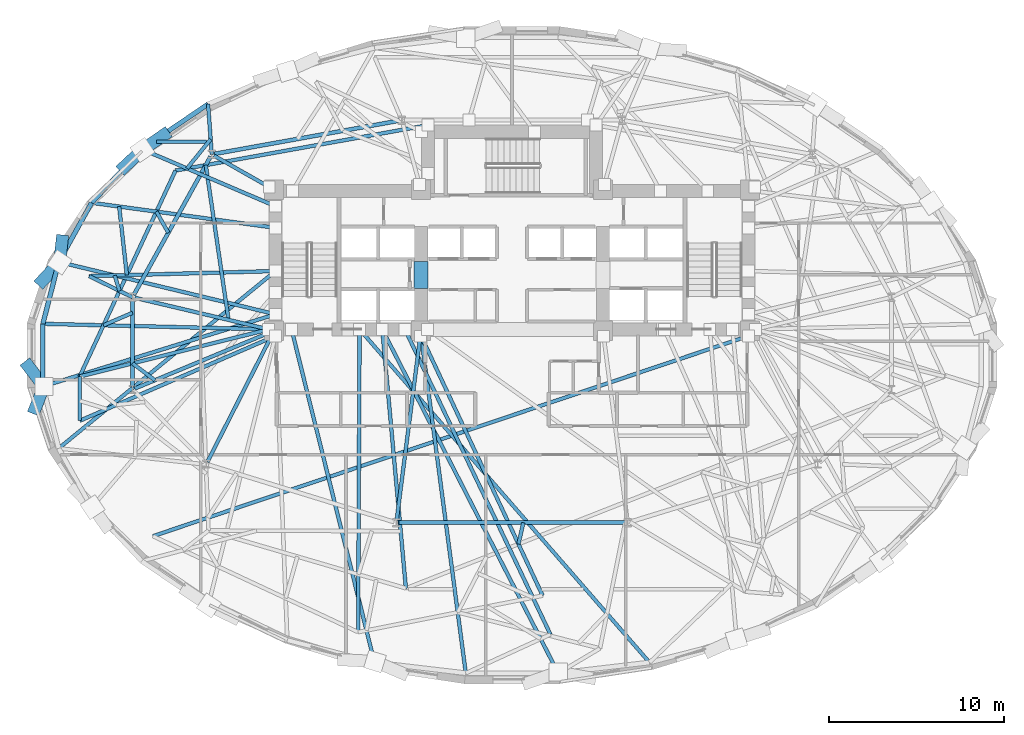
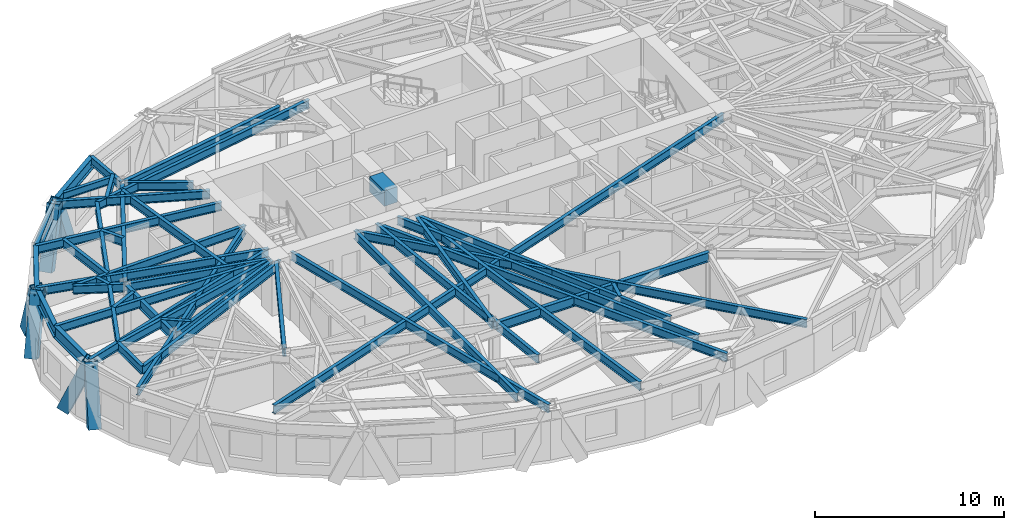
# One storey, part 2 of 15: 47 beams, 6 members.
"""IFC4 building model written with IfcOpenShell, lengths in metres."""

from ifc_helpers import new_model, si_unit, direction, frame, origin, origin_2d, place, context, subcontext, project, spatial, rectangle, hollow_rectangle, i_section, extrude, material, material_profile, profile_set, type_object, element, save


model = new_model("IFC4")

# Units and contexts
model_context = context("Model", 3, precision=1e-05, world=origin(), true_north=direction((0.0, 1.0)))
body_context = subcontext(model_context, "Body", "Model", "MODEL_VIEW")
ifc_project = project(units=[si_unit("LENGTHUNIT", "METRE"), si_unit("AREAUNIT", "SQUARE_METRE"), si_unit("VOLUMEUNIT", "CUBIC_METRE"), si_unit("PLANEANGLEUNIT", "RADIAN"), si_unit("MASSUNIT", "GRAM", prefix="KILO")], contexts=[model_context])

# Site, building, storey
site_placement = place(None, origin())
site = spatial("IfcSite", under=ifc_project, at=site_placement, CompositionType="ELEMENT")
building_placement = place(site_placement, origin())
building = spatial("IfcBuilding", under=site, at=building_placement, Name="Keldmark Tower", CompositionType="ELEMENT")
storey_placement = place(building_placement, frame((0.0, 0.0, 110.60009765625)))
storey = spatial("IfcBuildingStorey", under=building, at=storey_placement, Name="L29", CompositionType="ELEMENT", Elevation=110.60009765625)

# Beams
ifc_material_1 = material(Name="Steel ASTM A992 Grade 50", Category="steel")
ifc_material_profile_1 = material_profile(ifc_material_1, i_section(OverallWidth=0.19091796875, OverallDepth=0.45703125, WebThickness=0.009033203125, FlangeThickness=0.014404296875, at=origin_2d()), Name="W18X50")
ifc_profile_set_1 = profile_set([ifc_material_profile_1], Name="Steel ASTM A992 Grade 50")
beam_type_1 = type_object("IfcBeamType", Name="Composite Floor Joist W18X50", PredefinedType="JOIST", material=ifc_profile_set_1)
beam_1_placement = place(storey_placement, frame((-20.323974609375, 12.199951171875, 3.081298828125), z_axis=(1.0, 0.0, 0.0), x_axis=(0.0, 1.0, 0.0)))
element("IfcBeam", 1, at=beam_1_placement, inside=storey, type_object=beam_type_1, Name="L29 Composite Floor Joist J09", PredefinedType="JOIST", context=body_context, shape_type="SweptSolid", body=[
    extrude(i_section(OverallWidth=0.19091796875, OverallDepth=0.45703125, WebThickness=0.009033203125, FlangeThickness=0.014404296875, at=origin_2d()), origin(), (0.0, 0.0, 1.0), 2.85595703125),
])
ifc_material_2 = material(Name="Concrete C70/85", Category="concrete")
ifc_material_profile_2 = material_profile(ifc_material_2, rectangle(XDim=0.800048828125, YDim=1.0, at=origin_2d()), Name="RCB800X1000")
ifc_profile_set_2 = profile_set([ifc_material_profile_2], Name="Concrete C70/85")
beam_type_2 = type_object("IfcBeamType", Name="Core Coupling Beam RCB800X1000", PredefinedType="USERDEFINED", material=ifc_profile_set_2)
beam_2_placement = place(storey_placement, frame((-5.199951171875, 3.800048828125, 2.809814453125), z_axis=(0.0, 1.0, 0.0), x_axis=(-1.0, 0.0, 0.0)))
element("IfcBeam", 2, at=beam_2_placement, inside=storey, type_object=beam_type_2, Name="L29 West Core Coupling Beam", ObjectType="COUPLING BEAM", PredefinedType="USERDEFINED", context=body_context, shape_type="SweptSolid", body=[
    extrude(rectangle(XDim=0.800048828125, YDim=1.0, at=origin_2d()), origin(), (0.0, 0.0, 1.0), 1.550048828125),
])

# Members
ifc_material_3 = material(Name="Steel ASTM A572 Grade 50", Category="steel")
ifc_material_profile_3 = material_profile(ifc_material_3, hollow_rectangle(XDim=0.699951171875, YDim=0.699951171875, WallThickness=0.044921875, at=origin_2d()), Name="BOX700X700X45")
ifc_profile_set_3 = profile_set([ifc_material_profile_3], Name="Steel ASTM A572 Grade 50")
member_type = type_object("IfcMemberType", Name="Diagrid Zone 2 Brace BOX700X700X45", PredefinedType="BRACE", material=ifc_profile_set_3)
member_1_placement = place(storey_placement, frame((-19.885009765625, 12.6005859375, -0.27001953125), z_axis=(-0.330304829157, -0.229591895722, 0.915525139608), x_axis=(0.570753895875, -0.821121178843, 0.0)))
element("IfcMember", 3, at=member_1_placement, inside=storey, type_object=member_type, Name="L29 Perimeter Diagrid Brace 06B", PredefinedType="BRACE", context=body_context, shape_type="SweptSolid", body=[
    extrude(hollow_rectangle(XDim=0.699951171875, YDim=0.699951171875, WallThickness=0.044921875, at=origin_2d()), origin(), (0.0, 0.0, 1.0), 3.779296875),
])
member_2_placement = place(storey_placement, frame((-22.177490234375, 10.7548828125, -0.27001953125), z_axis=(0.28076981606, 0.263119938966, 0.923003904709), x_axis=(-0.683800361461, 0.729669148084, 0.0)))
element("IfcMember", 4, at=member_2_placement, inside=storey, type_object=member_type, Name="L29 Perimeter Diagrid Brace 07A", PredefinedType="BRACE", context=body_context, shape_type="SweptSolid", body=[
    extrude(hollow_rectangle(XDim=0.699951171875, YDim=0.699951171875, WallThickness=0.044921875, at=origin_2d()), origin(), (0.0, 0.0, 1.0), 3.74853515625),
])
member_3_placement = place(storey_placement, frame((-25.7265625, 6.5419921875, -0.27001953125), z_axis=(-0.037569028403, -0.337191986378, 0.940685990343), x_axis=(0.99385028729, -0.110732138308, 0.0)))
element("IfcMember", 5, at=member_3_placement, inside=storey, type_object=member_type, Name="L29 Perimeter Diagrid Brace 07B", PredefinedType="BRACE", context=body_context, shape_type="SweptSolid", body=[
    extrude(hollow_rectangle(XDim=0.699951171875, YDim=0.699951171875, WallThickness=0.044921875, at=origin_2d()), origin(), (0.0, 0.0, 1.0), 3.67822265625),
])
member_4_placement = place(storey_placement, frame((-26.863037109375, 4.235595703125, -0.27001953125), z_axis=(0.26674302926, 0.286417600308, 0.920224491401), x_axis=(-0.73179410831, 0.681525775773, 0.0)))
element("IfcMember", 6, at=member_4_placement, inside=storey, type_object=member_type, Name="L29 Perimeter Diagrid Brace 08A", PredefinedType="BRACE", context=body_context, shape_type="SweptSolid", body=[
    extrude(hollow_rectangle(XDim=0.699951171875, YDim=0.699951171875, WallThickness=0.044921875, at=origin_2d()), origin(), (0.0, 0.0, 1.0), 3.760009765625),
])
member_5_placement = place(storey_placement, frame((-27.656005859375, -0.622802734375, -0.27001953125), z_axis=(0.237991810222, -0.31204380244, 0.919776366094), x_axis=(0.795131714041, 0.606436771087, 0.0)))
element("IfcMember", 7, at=member_5_placement, inside=storey, type_object=member_type, Name="L29 Perimeter Diagrid Brace 08B", PredefinedType="BRACE", context=body_context, shape_type="SweptSolid", body=[
    extrude(hollow_rectangle(XDim=0.699951171875, YDim=0.699951171875, WallThickness=0.044921875, at=origin_2d()), origin(), (0.0, 0.0, 1.0), 3.76171875),
])
member_6_placement = place(storey_placement, frame((-27.25830078125, -3.0458984375, -0.27001953125), z_axis=(0.133894710136, 0.339335710427, 0.931087258116), x_axis=(-0.930205389698, 0.367039416109, 0.0)))
element("IfcMember", 8, at=member_6_placement, inside=storey, type_object=member_type, Name="L29 Perimeter Diagrid Brace 09A", PredefinedType="BRACE", context=body_context, shape_type="SweptSolid", body=[
    extrude(hollow_rectangle(XDim=0.699951171875, YDim=0.699951171875, WallThickness=0.044921875, at=origin_2d()), origin(), (0.0, 0.0, 1.0), 3.716064453125),
])

# Beams
ifc_material_4 = material(Name="Steel ASTM A992 Grade 50", Category="steel")
ifc_material_profile_4 = material_profile(ifc_material_4, i_section(OverallWidth=0.22900390625, OverallDepth=0.612060546875, WebThickness=0.011962890625, FlangeThickness=0.01953125, at=origin_2d()), Name="W24X84")
ifc_profile_set_4 = profile_set([ifc_material_profile_4], Name="Steel ASTM A992 Grade 50")
beam_type_3 = type_object("IfcBeamType", Name="Primary Floor Girder W24X84", PredefinedType="BEAM", material=ifc_profile_set_4)
beam_3_placement = place(storey_placement, frame((-6.4365234375, 13.40771484375, 3.00390625), z_axis=(-0.984218266992, -0.176958760505, 0.0), x_axis=(0.176958760505, -0.984218266992, 0.0)))
element("IfcBeam", 9, at=beam_3_placement, inside=storey, type_object=beam_type_3, Name="L29 Floor Ring Girder FG-R04", PredefinedType="BEAM", context=body_context, shape_type="SweptSolid", body=[
    extrude(i_section(OverallWidth=0.22900390625, OverallDepth=0.612060546875, WebThickness=0.011962890625, FlangeThickness=0.01953125, at=origin_2d()), origin(), (0.0, 0.0, 1.0), 10.7626953125),
])
beam_4_placement = place(storey_placement, frame((-17.235107421875, 11.35595703125, 3.00390625), z_axis=(-0.484951836703, -0.874540860154, 0.0), x_axis=(0.874540860154, -0.484951836703, 0.0)))
element("IfcBeam", 10, at=beam_4_placement, inside=storey, type_object=beam_type_3, Name="L29 Floor Ring Girder FG-R05", PredefinedType="BEAM", context=body_context, shape_type="SweptSolid", body=[
    extrude(i_section(OverallWidth=0.22900390625, OverallDepth=0.612060546875, WebThickness=0.011962890625, FlangeThickness=0.01953125, at=origin_2d()), origin(), (0.0, 0.0, 1.0), 9.060302734375),
])
beam_5_placement = place(storey_placement, frame((-21.697021484375, 3.169921875, 3.00390625), z_axis=(0.0, -1.0, 0.0), x_axis=(1.0, 0.0, 0.0)))
element("IfcBeam", 11, at=beam_5_placement, inside=storey, type_object=beam_type_3, Name="L29 Floor Ring Girder FG-R06", PredefinedType="BEAM", context=body_context, shape_type="SweptSolid", body=[
    extrude(i_section(OverallWidth=0.22900390625, OverallDepth=0.612060546875, WebThickness=0.011962890625, FlangeThickness=0.01953125, at=origin_2d()), origin(), (0.0, 0.0, 1.0), 4.995849609375),
])
beam_6_placement = place(storey_placement, frame((-6.472900390625, -9.579345703125, 3.00390625), z_axis=(1.0, 0.0, 0.0), x_axis=(0.0, 1.0, 0.0)))
element("IfcBeam", 12, at=beam_6_placement, inside=storey, type_object=beam_type_3, Name="L29 Floor Ring Girder FG-R09", PredefinedType="BEAM", context=body_context, shape_type="SweptSolid", body=[
    extrude(i_section(OverallWidth=0.22900390625, OverallDepth=0.612060546875, WebThickness=0.011962890625, FlangeThickness=0.01953125, at=origin_2d()), origin(), (0.0, 0.0, 1.0), 12.94580078125),
])
ifc_material_5 = material(Name="Steel ASTM A992 Grade 50", Category="steel")
ifc_material_profile_5 = material_profile(ifc_material_5, i_section(OverallWidth=0.2099609375, OverallDepth=0.537109375, WebThickness=0.010986328125, FlangeThickness=0.017333984375, at=origin_2d()), Name="W21X68")
ifc_profile_set_5 = profile_set([ifc_material_profile_5], Name="Steel ASTM A992 Grade 50")
beam_type_4 = type_object("IfcBeamType", Name="Radial Tie Girder W21X68", PredefinedType="BEAM", material=ifc_profile_set_5)
beam_7_placement = place(storey_placement, frame((-17.04541015625, 11.4091796875, 3.04150390625), z_axis=(0.86928447329, -0.494312152892, 0.0), x_axis=(0.494312152892, 0.86928447329, 0.0)))
element("IfcBeam", 13, at=beam_7_placement, inside=storey, type_object=beam_type_4, Name="L29 Floor Radial Girder FG-C05", PredefinedType="BEAM", context=body_context, shape_type="SweptSolid", body=[
    extrude(i_section(OverallWidth=0.2099609375, OverallDepth=0.537109375, WebThickness=0.010986328125, FlangeThickness=0.017333984375, at=origin_2d()), origin(), (0.0, 0.0, 1.0), 3.6435546875),
])
beam_8_placement = place(storey_placement, frame((-21.560546875, 3.27783203125, 3.04150390625), z_axis=(0.973283778272, -0.229605502879, 0.0), x_axis=(0.229605502879, 0.973283778272, 0.0)))
element("IfcBeam", 14, at=beam_8_placement, inside=storey, type_object=beam_type_4, Name="L29 Floor Radial Girder FG-C06", PredefinedType="BEAM", context=body_context, shape_type="SweptSolid", body=[
    extrude(i_section(OverallWidth=0.2099609375, OverallDepth=0.537109375, WebThickness=0.010986328125, FlangeThickness=0.017333984375, at=origin_2d()), origin(), (0.0, 0.0, 1.0), 7.85888671875),
])
beam_9_placement = place(storey_placement, frame((-21.567626953125, -1.912109375, 3.04150390625), z_axis=(0.923397393633, 0.383845350932, 0.0), x_axis=(-0.383845350932, 0.923397393633, 0.0)))
element("IfcBeam", 15, at=beam_9_placement, inside=storey, type_object=beam_type_4, Name="L29 Floor Radial Girder FG-C07", PredefinedType="BEAM", context=body_context, shape_type="SweptSolid", body=[
    extrude(i_section(OverallWidth=0.2099609375, OverallDepth=0.537109375, WebThickness=0.010986328125, FlangeThickness=0.017333984375, at=origin_2d()), origin(), (0.0, 0.0, 1.0), 8.30859375),
])
beam_10_placement = place(storey_placement, frame((-17.413818359375, -6.104736328125, 3.04150390625), z_axis=(0.453028637759, 0.891495963743, 0.0), x_axis=(-0.891495963743, 0.453028637759, 0.0)))
element("IfcBeam", 16, at=beam_10_placement, inside=storey, type_object=beam_type_4, Name="L29 Floor Radial Girder FG-C08", PredefinedType="BEAM", context=body_context, shape_type="SweptSolid", body=[
    extrude(i_section(OverallWidth=0.2099609375, OverallDepth=0.537109375, WebThickness=0.010986328125, FlangeThickness=0.017333984375, at=origin_2d()), origin(), (0.0, 0.0, 1.0), 8.09814453125),
])
beam_11_placement = place(storey_placement, frame((-6.594970703125, -9.4404296875, 3.04150390625), z_axis=(0.127642040045, 0.991820301069, 0.0), x_axis=(-0.991820301069, 0.127642040045, 0.0)))
element("IfcBeam", 17, at=beam_11_placement, inside=storey, type_object=beam_type_4, Name="L29 Floor Radial Girder FG-C09", PredefinedType="BEAM", context=body_context, shape_type="SweptSolid", body=[
    extrude(i_section(OverallWidth=0.2099609375, OverallDepth=0.537109375, WebThickness=0.010986328125, FlangeThickness=0.017333984375, at=origin_2d()), origin(), (0.0, 0.0, 1.0), 10.609619140625),
])
beam_12_placement = place(storey_placement, frame((-16.206298828125, 2.014892578125, 3.04150390625), z_axis=(-0.145416987342, 0.989370456297, 0.0), x_axis=(-0.989370456297, -0.145416987342, 0.0)))
element("IfcBeam", 18, at=beam_12_placement, inside=storey, type_object=beam_type_4, Name="L29 Framing Pin Header PH-003", PredefinedType="BEAM", context=body_context, shape_type="SweptSolid", body=[
    extrude(i_section(OverallWidth=0.2099609375, OverallDepth=0.537109375, WebThickness=0.010986328125, FlangeThickness=0.017333984375, at=origin_2d()), origin(), (0.0, 0.0, 1.0), 8.945068359375),
])
beam_13_placement = place(storey_placement, frame((-4.800048828125, 13.14990234375, 3.04150390625), z_axis=(-0.984215869058, -0.176972096938, 0.0), x_axis=(0.176972096938, -0.984215869058, 0.0)))
element("IfcBeam", 19, at=beam_13_placement, inside=storey, type_object=beam_type_4, Name="L29 Sub-Ring Step Girder STP1-M06", PredefinedType="BEAM", context=body_context, shape_type="SweptSolid", body=[
    extrude(i_section(OverallWidth=0.2099609375, OverallDepth=0.537109375, WebThickness=0.010986328125, FlangeThickness=0.017333984375, at=origin_2d()), origin(), (0.0, 0.0, 1.0), 14.667236328125),
])
beam_14_placement = place(storey_placement, frame((-20.416748046875, -1.433837890625, 3.04150390625), z_axis=(-0.798828570116, 0.601558738251, 0.0), x_axis=(-0.601558738251, -0.798828570116, 0.0)))
element("IfcBeam", 20, at=beam_14_placement, inside=storey, type_object=beam_type_4, Name="L29 Framing Pin Header PH-004", PredefinedType="BEAM", context=body_context, shape_type="SweptSolid", body=[
    extrude(i_section(OverallWidth=0.2099609375, OverallDepth=0.537109375, WebThickness=0.010986328125, FlangeThickness=0.017333984375, at=origin_2d()), origin(), (0.0, 0.0, 1.0), 1.602783203125),
])
beam_15_placement = place(storey_placement, frame((-13.89990234375, 1.47509765625, 3.04150390625), z_axis=(-0.970272424493, -0.24201533478, 0.0), x_axis=(0.24201533478, -0.970272424493, 0.0)))
element("IfcBeam", 21, at=beam_15_placement, inside=storey, type_object=beam_type_4, Name="L29 Sub-Ring Step Girder STP1-M07", PredefinedType="BEAM", context=body_context, shape_type="SweptSolid", body=[
    extrude(i_section(OverallWidth=0.2099609375, OverallDepth=0.537109375, WebThickness=0.010986328125, FlangeThickness=0.017333984375, at=origin_2d()), origin(), (0.0, 0.0, 1.0), 11.152099609375),
])
beam_16_placement = place(storey_placement, frame((-7.41796875, 1.47509765625, 3.04150390625), z_axis=(0.090993175963, -0.995851516004, 0.0), x_axis=(0.995851516004, 0.090993175963, 0.0)))
element("IfcBeam", 22, at=beam_16_placement, inside=storey, type_object=beam_type_4, Name="L29 Sub-Ring Step Girder STP1-M09", PredefinedType="BEAM", context=body_context, shape_type="SweptSolid", body=[
    extrude(i_section(OverallWidth=0.2099609375, OverallDepth=0.537109375, WebThickness=0.010986328125, FlangeThickness=0.017333984375, at=origin_2d()), origin(), (0.0, 0.0, 1.0), 14.86962890625),
])
beam_17_placement = place(storey_placement, frame((-19.23583984375, 10.55419921875, 3.04150390625), z_axis=(-0.422138484686, -0.906531356185, 0.0), x_axis=(0.906531356185, -0.422138484686, 0.0)))
element("IfcBeam", 23, at=beam_17_placement, inside=storey, type_object=beam_type_4, Name="L29 Perimeter Collector Ring Beam CRG1-M06", PredefinedType="BEAM", context=body_context, shape_type="SweptSolid", body=[
    extrude(i_section(OverallWidth=0.2099609375, OverallDepth=0.537109375, WebThickness=0.010986328125, FlangeThickness=0.017333984375, at=origin_2d()), origin(), (0.0, 0.0, 1.0), 12.992431640625),
])
beam_18_placement = place(storey_placement, frame((13.52490234375, 1.10009765625, 3.04150390625), z_axis=(-0.947853609625, -0.318706031823, 0.0), x_axis=(0.318706031823, -0.947853609625, 0.0)))
element("IfcBeam", 24, at=beam_18_placement, inside=storey, type_object=beam_type_4, Name="L29 Sub-Ring Step Girder STP2-M08", PredefinedType="BEAM", context=body_context, shape_type="SweptSolid", body=[
    extrude(i_section(OverallWidth=0.2099609375, OverallDepth=0.537109375, WebThickness=0.010986328125, FlangeThickness=0.017333984375, at=origin_2d()), origin(), (0.0, 0.0, 1.0), 35.921875),
])
beam_19_placement = place(storey_placement, frame((-8.71435546875, 1.47509765625, 3.04150390625), z_axis=(-0.004710608779, -0.999988905021, 0.0), x_axis=(0.999988905021, -0.004710608779, 0.0)))
element("IfcBeam", 25, at=beam_19_placement, inside=storey, type_object=beam_type_4, Name="L29 Sub-Ring Step Girder STP2-M09", PredefinedType="BEAM", context=body_context, shape_type="SweptSolid", body=[
    extrude(i_section(OverallWidth=0.2099609375, OverallDepth=0.537109375, WebThickness=0.010986328125, FlangeThickness=0.017333984375, at=origin_2d()), origin(), (0.0, 0.0, 1.0), 17.310546875),
])
beam_20_placement = place(storey_placement, frame((0.647216796875, -9.579345703125, 3.04150390625), z_axis=(-0.220416391752, -0.975405871546, 0.0), x_axis=(0.975405871546, -0.220416391752, 0.0)))
element("IfcBeam", 26, at=beam_20_placement, inside=storey, type_object=beam_type_4, Name="L29 Framing Pin Header PH-013", PredefinedType="BEAM", context=body_context, shape_type="SweptSolid", body=[
    extrude(i_section(OverallWidth=0.2099609375, OverallDepth=0.537109375, WebThickness=0.010986328125, FlangeThickness=0.017333984375, at=origin_2d()), origin(), (0.0, 0.0, 1.0), 1.252685546875),
])
beam_21_placement = place(storey_placement, frame((-5.199951171875, 1.10009765625, 3.04150390625), z_axis=(0.423956217101, -0.90568268504, 0.0), x_axis=(0.90568268504, 0.423956217101, 0.0)))
element("IfcBeam", 27, at=beam_21_placement, inside=storey, type_object=beam_type_4, Name="L29 Sub-Ring Step Girder STP2-M10", PredefinedType="BEAM", context=body_context, shape_type="SweptSolid", body=[
    extrude(i_section(OverallWidth=0.2099609375, OverallDepth=0.537109375, WebThickness=0.010986328125, FlangeThickness=0.017333984375, at=origin_2d()), origin(), (0.0, 0.0, 1.0), 16.397216796875),
])
beam_22_placement = place(storey_placement, frame((-17.1669921875, 11.478271484375, 3.04150390625), z_axis=(-0.072168017046, 0.997392489101, 0.0), x_axis=(-0.997392489101, -0.072168017046, 0.0)))
element("IfcBeam", 28, at=beam_22_placement, inside=storey, type_object=beam_type_4, Name="L29 Perimeter Column Bracket RT-12", PredefinedType="BEAM", context=body_context, shape_type="SweptSolid", body=[
    extrude(i_section(OverallWidth=0.2099609375, OverallDepth=0.537109375, WebThickness=0.010986328125, FlangeThickness=0.017333984375, at=origin_2d()), origin(), (0.0, 0.0, 1.0), 2.88232421875),
])
beam_23_placement = place(storey_placement, frame((-17.2294921875, 12.3408203125, 3.04150390625), z_axis=(-0.628903636208, -0.777483257932, 0.0), x_axis=(0.777483257932, -0.628903636208, 0.0)))
element("IfcBeam", 29, at=beam_23_placement, inside=storey, type_object=beam_type_4, Name="L29 Framing Pin Header PH-026", PredefinedType="BEAM", context=body_context, shape_type="SweptSolid", body=[
    extrude(i_section(OverallWidth=0.2099609375, OverallDepth=0.537109375, WebThickness=0.010986328125, FlangeThickness=0.017333984375, at=origin_2d()), origin(), (0.0, 0.0, 1.0), 2.14599609375),
])
beam_24_placement = place(storey_placement, frame((-13.52490234375, 8.514404296875, 3.04150390625), z_axis=(-0.919674265114, 0.39268211837, 0.0), x_axis=(-0.39268211837, -0.919674265114, 0.0)))
element("IfcBeam", 30, at=beam_24_placement, inside=storey, type_object=beam_type_4, Name="L29 Perimeter Radial Tie Girder RT-13", PredefinedType="BEAM", context=body_context, shape_type="SweptSolid", body=[
    extrude(i_section(OverallWidth=0.2099609375, OverallDepth=0.537109375, WebThickness=0.010986328125, FlangeThickness=0.017333984375, at=origin_2d()), origin(), (0.0, 0.0, 1.0), 8.314453125),
])
beam_25_placement = place(storey_placement, frame((-19.651611328125, 6.997802734375, 3.04150390625), z_axis=(-0.489650004287, 0.871919074973, 0.0), x_axis=(-0.871919074973, -0.489650004287, 0.0)))
element("IfcBeam", 31, at=beam_25_placement, inside=storey, type_object=beam_type_4, Name="L29 Framing Pin Header PH-027", PredefinedType="BEAM", context=body_context, shape_type="SweptSolid", body=[
    extrude(i_section(OverallWidth=0.2099609375, OverallDepth=0.537109375, WebThickness=0.010986328125, FlangeThickness=0.017333984375, at=origin_2d()), origin(), (0.0, 0.0, 1.0), 1.384521484375),
])
beam_26_placement = place(storey_placement, frame((-13.52490234375, 7.278564453125, 3.04150390625), z_axis=(-0.990855218662, 0.134929372826, 0.0), x_axis=(-0.134929372826, -0.990855218662, 0.0)))
element("IfcBeam", 32, at=beam_26_placement, inside=storey, type_object=beam_type_4, Name="L29 Perimeter Radial Tie Girder RT-14", PredefinedType="BEAM", context=body_context, shape_type="SweptSolid", body=[
    extrude(i_section(OverallWidth=0.2099609375, OverallDepth=0.537109375, WebThickness=0.010986328125, FlangeThickness=0.017333984375, at=origin_2d()), origin(), (0.0, 0.0, 1.0), 10.6083984375),
])
beam_27_placement = place(storey_placement, frame((-22.459716796875, 8.495361328125, 3.04150390625), z_axis=(0.111477686321, -0.99376693719, 0.0), x_axis=(0.99376693719, 0.111477686321, 0.0)))
element("IfcBeam", 33, at=beam_27_placement, inside=storey, type_object=beam_type_4, Name="L29 Framing Pin Header PH-028", PredefinedType="BEAM", context=body_context, shape_type="SweptSolid", body=[
    extrude(i_section(OverallWidth=0.2099609375, OverallDepth=0.537109375, WebThickness=0.010986328125, FlangeThickness=0.017333984375, at=origin_2d()), origin(), (0.0, 0.0, 1.0), 3.9443359375),
])
beam_28_placement = place(storey_placement, frame((-13.52490234375, 4.80712890625, 3.04150390625), z_axis=(-0.999629140862, -0.027231980081, 0.0), x_axis=(0.027231980081, -0.999629140862, 0.0)))
element("IfcBeam", 34, at=beam_28_placement, inside=storey, type_object=beam_type_4, Name="L29 Intermediate Radial Step Girder RT-15M", PredefinedType="BEAM", context=body_context, shape_type="SweptSolid", body=[
    extrude(i_section(OverallWidth=0.2099609375, OverallDepth=0.537109375, WebThickness=0.010986328125, FlangeThickness=0.017333984375, at=origin_2d()), origin(), (0.0, 0.0, 1.0), 10.650634765625),
])
beam_29_placement = place(storey_placement, frame((-21.697021484375, 3.309814453125, 3.04150390625), z_axis=(-0.898747140206, 0.438467305477, 0.0), x_axis=(-0.438467305477, -0.898747140206, 0.0)))
element("IfcBeam", 35, at=beam_29_placement, inside=storey, type_object=beam_type_4, Name="L29 Local Collector Chord RT-15C", PredefinedType="BEAM", context=body_context, shape_type="SweptSolid", body=[
    extrude(i_section(OverallWidth=0.2099609375, OverallDepth=0.537109375, WebThickness=0.010986328125, FlangeThickness=0.017333984375, at=origin_2d()), origin(), (0.0, 0.0, 1.0), 2.75341796875),
])
beam_30_placement = place(storey_placement, frame((-22.439208984375, 3.672119140625, 3.04150390625), z_axis=(-0.299429392976, 0.954118461524, 0.0), x_axis=(-0.954118461524, -0.299429392976, 0.0)))
element("IfcBeam", 36, at=beam_30_placement, inside=storey, type_object=beam_type_4, Name="L29 Framing Pin Header PH-029", PredefinedType="BEAM", context=body_context, shape_type="SweptSolid", body=[
    extrude(i_section(OverallWidth=0.2099609375, OverallDepth=0.537109375, WebThickness=0.010986328125, FlangeThickness=0.017333984375, at=origin_2d()), origin(), (0.0, 0.0, 1.0), 0.927001953125),
])
beam_31_placement = place(storey_placement, frame((-13.52490234375, 2.335693359375, 3.04150390625), z_axis=(-0.972027207847, 0.234868276285, 0.0), x_axis=(-0.234868276285, -0.972027207847, 0.0)))
element("IfcBeam", 37, at=beam_31_placement, inside=storey, type_object=beam_type_4, Name="L29 Perimeter Radial Tie Girder RT-15", PredefinedType="BEAM", context=body_context, shape_type="SweptSolid", body=[
    extrude(i_section(OverallWidth=0.2099609375, OverallDepth=0.537109375, WebThickness=0.010986328125, FlangeThickness=0.017333984375, at=origin_2d()), origin(), (0.0, 0.0, 1.0), 12.749267578125),
])
beam_32_placement = place(storey_placement, frame((-21.697021484375, 2.42041015625, 3.04150390625), z_axis=(-0.918486637365, -0.395452016029, 0.0), x_axis=(0.395452016029, -0.918486637365, 0.0)))
element("IfcBeam", 38, at=beam_32_placement, inside=storey, type_object=beam_type_4, Name="L29 Framing Pin Header PH-030", PredefinedType="BEAM", context=body_context, shape_type="SweptSolid", body=[
    extrude(i_section(OverallWidth=0.2099609375, OverallDepth=0.537109375, WebThickness=0.010986328125, FlangeThickness=0.017333984375, at=origin_2d()), origin(), (0.0, 0.0, 1.0), 1.806396484375),
])
beam_33_placement = place(storey_placement, frame((-13.89990234375, 1.47509765625, 3.04150390625), z_axis=(-0.999701667768, 0.024424894305, 0.0), x_axis=(-0.024424894305, -0.999701667768, 0.0)))
element("IfcBeam", 39, at=beam_33_placement, inside=storey, type_object=beam_type_4, Name="L29 Perimeter Radial Tie Girder RT-16", PredefinedType="BEAM", context=body_context, shape_type="SweptSolid", body=[
    extrude(i_section(OverallWidth=0.2099609375, OverallDepth=0.537109375, WebThickness=0.010986328125, FlangeThickness=0.017333984375, at=origin_2d()), origin(), (0.0, 0.0, 1.0), 12.92431640625),
])
beam_34_placement = place(storey_placement, frame((-13.52490234375, 2.335693359375, 3.04150390625), z_axis=(-0.955057973747, -0.296419072905, 0.0), x_axis=(0.296419072905, -0.955057973747, 0.0)))
element("IfcBeam", 40, at=beam_34_placement, inside=storey, type_object=beam_type_4, Name="L29 Perimeter Radial Tie Girder RT-17", PredefinedType="BEAM", context=body_context, shape_type="SweptSolid", body=[
    extrude(i_section(OverallWidth=0.2099609375, OverallDepth=0.537109375, WebThickness=0.010986328125, FlangeThickness=0.017333984375, at=origin_2d()), origin(), (0.0, 0.0, 1.0), 13.921142578125),
])
beam_35_placement = place(storey_placement, frame((-13.52490234375, 1.10009765625, 3.04150390625), z_axis=(-0.917436928181, -0.397881242094, 0.0), x_axis=(0.397881242094, -0.917436928181, 0.0)))
element("IfcBeam", 41, at=beam_35_placement, inside=storey, type_object=beam_type_4, Name="L29 Intermediate Radial Step Girder RT-18M", PredefinedType="BEAM", context=body_context, shape_type="SweptSolid", body=[
    extrude(i_section(OverallWidth=0.2099609375, OverallDepth=0.537109375, WebThickness=0.010986328125, FlangeThickness=0.017333984375, at=origin_2d()), origin(), (0.0, 0.0, 1.0), 12.185546875),
])
beam_36_placement = place(storey_placement, frame((-24.720458984375, -1.223876953125, 3.04150390625), z_axis=(0.006382848698, -0.999979629414, 0.0), x_axis=(0.999979629414, 0.006382848698, 0.0)))
element("IfcBeam", 42, at=beam_36_placement, inside=storey, type_object=beam_type_4, Name="L29 Local Collector Chord RT-18C", PredefinedType="BEAM", context=body_context, shape_type="SweptSolid", body=[
    extrude(i_section(OverallWidth=0.2099609375, OverallDepth=0.537109375, WebThickness=0.010986328125, FlangeThickness=0.017333984375, at=origin_2d()), origin(), (0.0, 0.0, 1.0), 2.5244140625),
])
beam_37_placement = place(storey_placement, frame((-13.52490234375, 4.80712890625, 3.04150390625), z_axis=(-0.774023875871, -0.633156410046, 0.0), x_axis=(0.633156410046, -0.774023875871, 0.0)))
element("IfcBeam", 43, at=beam_37_placement, inside=storey, type_object=beam_type_4, Name="L29 Perimeter Radial Tie Girder RT-18", PredefinedType="BEAM", context=body_context, shape_type="SweptSolid", body=[
    extrude(i_section(OverallWidth=0.2099609375, OverallDepth=0.537109375, WebThickness=0.010986328125, FlangeThickness=0.017333984375, at=origin_2d()), origin(), (0.0, 0.0, 1.0), 16.010498046875),
])
beam_38_placement = place(storey_placement, frame((-12.603515625, 1.47509765625, 3.04150390625), z_axis=(0.241575517323, -0.970382022417, 0.0), x_axis=(0.970382022417, 0.241575517323, 0.0)))
element("IfcBeam", 44, at=beam_38_placement, inside=storey, type_object=beam_type_4, Name="L29 Perimeter Radial Tie Girder RT-23", PredefinedType="BEAM", context=body_context, shape_type="SweptSolid", body=[
    extrude(i_section(OverallWidth=0.2099609375, OverallDepth=0.537109375, WebThickness=0.010986328125, FlangeThickness=0.017333984375, at=origin_2d()), origin(), (0.0, 0.0, 1.0), 19.627197265625),
])
beam_39_placement = place(storey_placement, frame((-5.199951171875, 1.10009765625, 3.04150390625), z_axis=(0.131523256195, -0.991313085296, 0.0), x_axis=(0.991313085296, 0.131523256195, 0.0)))
element("IfcBeam", 45, at=beam_39_placement, inside=storey, type_object=beam_type_4, Name="L29 Perimeter Radial Tie Girder RT-24", PredefinedType="BEAM", context=body_context, shape_type="SweptSolid", body=[
    extrude(i_section(OverallWidth=0.2099609375, OverallDepth=0.537109375, WebThickness=0.010986328125, FlangeThickness=0.017333984375, at=origin_2d()), origin(), (0.0, 0.0, 1.0), 19.45166015625),
])
beam_40_placement = place(storey_placement, frame((-6.121337890625, 1.47509765625, 3.04150390625), z_axis=(0.430448454875, -0.902615160351, 0.0), x_axis=(0.902615160351, 0.430448454875, 0.0)))
element("IfcBeam", 46, at=beam_40_placement, inside=storey, type_object=beam_type_4, Name="L29 Intermediate Radial Step Girder RT-25M", PredefinedType="BEAM", context=body_context, shape_type="SweptSolid", body=[
    extrude(i_section(OverallWidth=0.2099609375, OverallDepth=0.537109375, WebThickness=0.010986328125, FlangeThickness=0.017333984375, at=origin_2d()), origin(), (0.0, 0.0, 1.0), 19.32373046875),
])
beam_41_placement = place(storey_placement, frame((-7.41796875, 1.47509765625, 3.04150390625), z_axis=(0.455552422344, -0.890208958895, 0.0), x_axis=(0.890208958895, 0.455552422344, 0.0)))
element("IfcBeam", 47, at=beam_41_placement, inside=storey, type_object=beam_type_4, Name="L29 Perimeter Radial Tie Girder RT-25", PredefinedType="BEAM", context=body_context, shape_type="SweptSolid", body=[
    extrude(i_section(OverallWidth=0.2099609375, OverallDepth=0.537109375, WebThickness=0.010986328125, FlangeThickness=0.017333984375, at=origin_2d()), origin(), (0.0, 0.0, 1.0), 22.08203125),
])
beam_42_placement = place(storey_placement, frame((-8.71435546875, 1.47509765625, 3.04150390625), z_axis=(0.656511640966, -0.754315892234, 0.0), x_axis=(0.754315892234, 0.656511640966, 0.0)))
element("IfcBeam", 48, at=beam_42_placement, inside=storey, type_object=beam_type_4, Name="L29 Perimeter Radial Tie Girder RT-26R", PredefinedType="BEAM", context=body_context, shape_type="SweptSolid", body=[
    extrude(i_section(OverallWidth=0.2099609375, OverallDepth=0.537109375, WebThickness=0.010986328125, FlangeThickness=0.017333984375, at=origin_2d()), origin(), (0.0, 0.0, 1.0), 25.249267578125),
])
ifc_material_6 = material(Name="Steel ASTM A992 Grade 50", Category="steel")
ifc_material_profile_6 = material_profile(ifc_material_6, i_section(OverallWidth=0.26806640625, OverallDepth=0.77001953125, WebThickness=0.015625, FlangeThickness=0.025390625, at=origin_2d()), Name="W30X132")
ifc_profile_set_6 = profile_set([ifc_material_profile_6], Name="Steel ASTM A992 Grade 50")
beam_type_5 = type_object("IfcBeamType", Name="Spandrel Ring Beam W30X132", PredefinedType="SPANDREL", material=ifc_profile_set_6)
beam_43_placement = place(storey_placement, frame((-17.375, 14.35302734375, 2.9248046875), z_axis=(-0.827717717125, -0.561144705719, 0.0), x_axis=(0.561144705719, -0.827717717125, 0.0)))
element("IfcBeam", 49, at=beam_43_placement, inside=storey, type_object=beam_type_5, Name="L29 Perimeter Spandrel Ring Beam SRB-12", PredefinedType="SPANDREL", context=body_context, shape_type="SweptSolid", body=[
    extrude(i_section(OverallWidth=0.26806640625, OverallDepth=0.77001953125, WebThickness=0.015625, FlangeThickness=0.025390625, at=origin_2d()), origin(), (0.0, 0.0, 1.0), 4.586669921875),
])
beam_44_placement = place(storey_placement, frame((-21.17138671875, 11.779296875, 2.9248046875), z_axis=(-0.682353469166, -0.73102239577, 0.0), x_axis=(0.73102239577, -0.682353469166, 0.0)))
element("IfcBeam", 50, at=beam_44_placement, inside=storey, type_object=beam_type_5, Name="L29 Perimeter Spandrel Ring Beam SRB-13", PredefinedType="SPANDREL", context=body_context, shape_type="SweptSolid", body=[
    extrude(i_section(OverallWidth=0.26806640625, OverallDepth=0.77001953125, WebThickness=0.015625, FlangeThickness=0.025390625, at=origin_2d()), origin(), (0.0, 0.0, 1.0), 4.19873046875),
])
beam_45_placement = place(storey_placement, frame((-24.036376953125, 8.7099609375, 2.9248046875), z_axis=(-0.486312657137, -0.873784870267, 0.0), x_axis=(0.873784870267, -0.486312657137, 0.0)))
element("IfcBeam", 51, at=beam_45_placement, inside=storey, type_object=beam_type_5, Name="L29 Perimeter Spandrel Ring Beam SRB-14", PredefinedType="SPANDREL", context=body_context, shape_type="SweptSolid", body=[
    extrude(i_section(OverallWidth=0.26806640625, OverallDepth=0.77001953125, WebThickness=0.015625, FlangeThickness=0.025390625, at=origin_2d()), origin(), (0.0, 0.0, 1.0), 3.8681640625),
])
beam_46_placement = place(storey_placement, frame((-25.91748046875, 5.330078125, 2.9248046875), z_axis=(-0.247172296022, -0.968971545547, 0.0), x_axis=(0.968971545547, -0.247172296022, 0.0)))
element("IfcBeam", 52, at=beam_46_placement, inside=storey, type_object=beam_type_5, Name="L29 Perimeter Spandrel Ring Beam SRB-15", PredefinedType="SPANDREL", context=body_context, shape_type="SweptSolid", body=[
    extrude(i_section(OverallWidth=0.26806640625, OverallDepth=0.77001953125, WebThickness=0.015625, FlangeThickness=0.025390625, at=origin_2d()), origin(), (0.0, 0.0, 1.0), 3.652587890625),
])
beam_47_placement = place(storey_placement, frame((-26.8203125, 1.790771484375, 2.9248046875), z_axis=(0.0, -1.0, 0.0), x_axis=(1.0, 0.0, 0.0)))
element("IfcBeam", 53, at=beam_47_placement, inside=storey, type_object=beam_type_5, Name="L29 Perimeter Spandrel Ring Beam SRB-16", PredefinedType="SPANDREL", context=body_context, shape_type="SweptSolid", body=[
    extrude(i_section(OverallWidth=0.26806640625, OverallDepth=0.77001953125, WebThickness=0.015625, FlangeThickness=0.025390625, at=origin_2d()), origin(), (0.0, 0.0, 1.0), 3.58154296875),
])

save(model, "model.ifc")
